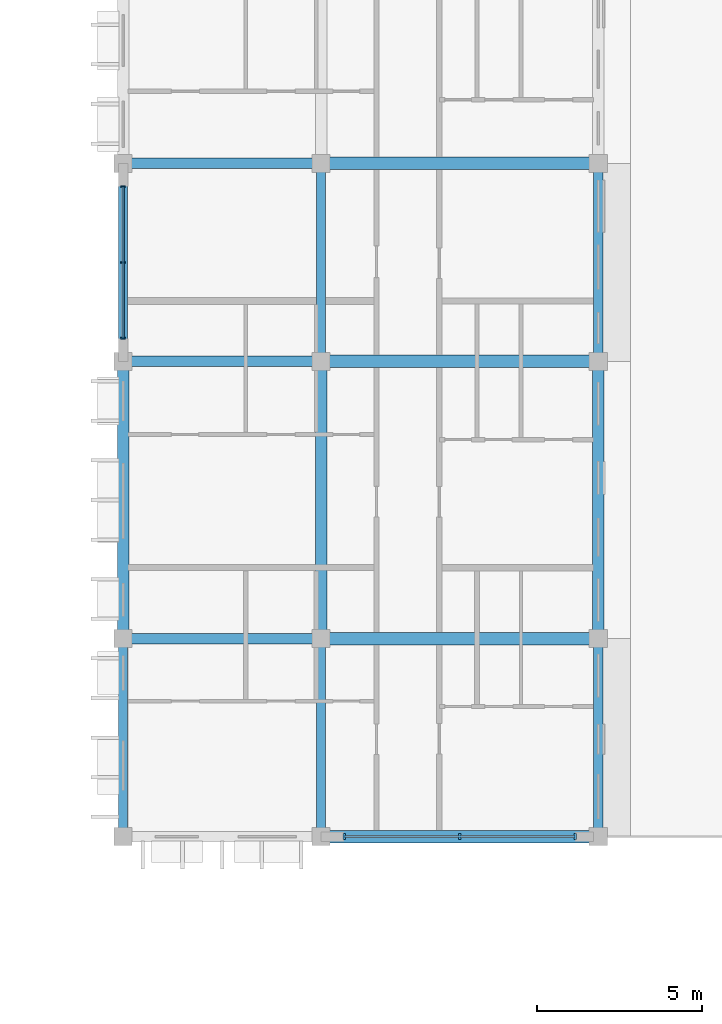
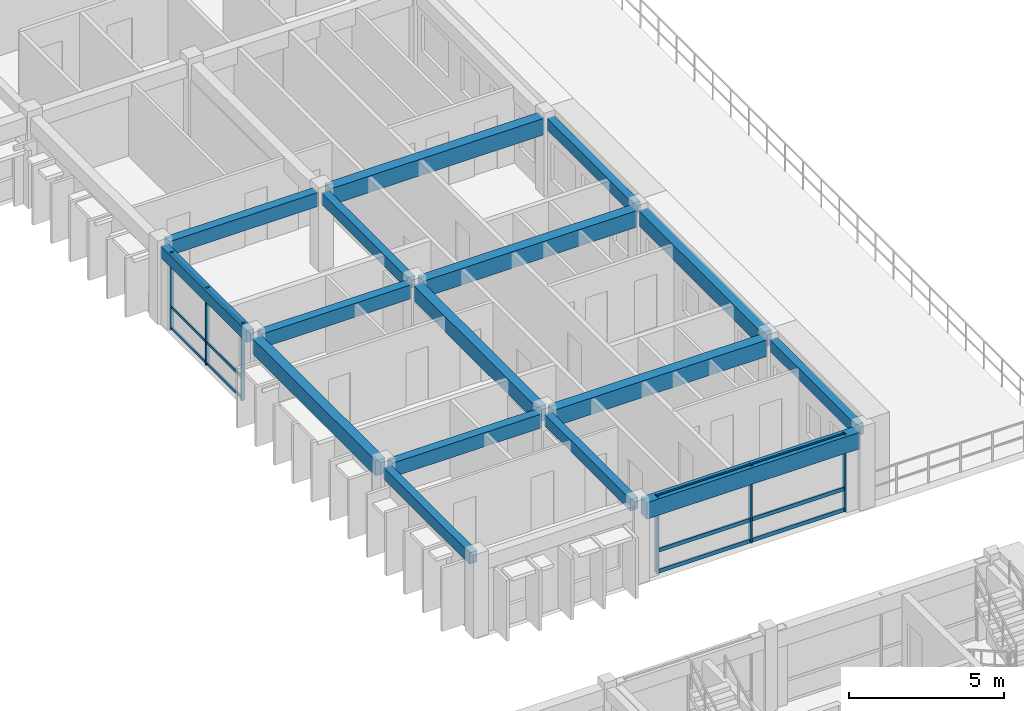
# One storey, part 15 of 68: 16 beams, 12 members, 2 elements without a shape of their own.
"""IFC4 building model written with IfcOpenShell, lengths in metres."""

from ifc_helpers import new_model, si_unit, direction, frame, origin, origin_2d, place, context, subcontext, project, spatial, rectangle, extrude, material, material_profile, profile_set, type_object, element, aggregate, save


model = new_model("IFC4")

# Units and contexts
model_context = context("Model", 3, precision=1e-05, world=origin(), true_north=direction((0.0, 1.0)))
body_context = subcontext(model_context, "Body", "Model", "MODEL_VIEW")
ifc_project = project(units=[si_unit("LENGTHUNIT", "METRE"), si_unit("AREAUNIT", "SQUARE_METRE"), si_unit("VOLUMEUNIT", "CUBIC_METRE"), si_unit("PLANEANGLEUNIT", "RADIAN"), si_unit("MASSUNIT", "GRAM", prefix="KILO"), si_unit("THERMODYNAMICTEMPERATUREUNIT", "KELVIN")], contexts=[model_context])

# Site, building, storey
site_placement = place(None, origin())
site = spatial("IfcSite", under=ifc_project, at=site_placement, CompositionType="ELEMENT")
building_placement = place(site_placement, origin())
building = spatial("IfcBuilding", under=site, at=building_placement, Name="Thalorik Housing Commons", CompositionType="ELEMENT")
storey_placement = place(building_placement, frame((0.0, 0.0, 24.60009765625)))
storey = spatial("IfcBuildingStorey", under=building, at=storey_placement, Name="L07", CompositionType="ELEMENT", Elevation=24.60009765625)

# Curtain wall, members
ifc_material_1 = material(Name="Anodised aluminium and solar-control low-E glass", Category="aluminium")
curtain_wall_type = type_object("IfcCurtainWallType", Name="ARC-CW-LOUNGE", PredefinedType="USERDEFINED", material=ifc_material_1)
curtain_wall_1_placement = place(storey_placement, origin())
curtain_wall_1 = element("IfcCurtainWall", 1, at=curtain_wall_1_placement, inside=storey, type_object=curtain_wall_type, Name="L07 Curtain Wall CW-RES-L07-B-105", ObjectType="CURTAIN WALL", PredefinedType="USERDEFINED")
ifc_material_2 = material(Name="Anodised aluminium 6063-T6", Category="aluminium")
ifc_material_profile_1 = material_profile(ifc_material_2, rectangle(XDim=0.054931640625, YDim=0.139892578125, at=origin_2d()), Name="ALU MUL 55x140", Category="aluminium")
ifc_profile_set_1 = profile_set([ifc_material_profile_1], Name="Anodised aluminium 6063-T6")
member_type_1 = type_object("IfcMemberType", Name="ARC-CW-MUL-55x140", PredefinedType="MULLION", material=ifc_profile_set_1)
member_1_placement = place(storey_placement, frame((152.39990234375, 100.10009765625, 0.0), z_axis=(0.0, 0.0, 1.0), x_axis=(0.0, -1.0, 0.0)))
member_1 = element("IfcMember", 2, at=member_1_placement, type_object=member_type_1, Name="CW-RES-L07-B-105 Mullion 1", PredefinedType="MULLION", context=body_context, shape_type="SweptSolid", body=[
    extrude(rectangle(XDim=0.054931640625, YDim=0.139892578125, at=origin_2d()), origin(), (0.0, 0.0, 1.0), 3.039794921875),
])
member_2_placement = place(storey_placement, frame((152.39990234375, 97.800048828125, 0.0), z_axis=(0.0, 0.0, 1.0), x_axis=(0.0, -1.0, 0.0)))
member_2 = element("IfcMember", 3, at=member_2_placement, type_object=member_type_1, Name="CW-RES-L07-B-105 Mullion 2", PredefinedType="MULLION", context=body_context, shape_type="SweptSolid", body=[
    extrude(rectangle(XDim=0.054931640625, YDim=0.139892578125, at=origin_2d()), origin(), (0.0, 0.0, 1.0), 3.039794921875),
])
member_3_placement = place(storey_placement, frame((152.39990234375, 95.5, 0.0), z_axis=(0.0, 0.0, 1.0), x_axis=(0.0, -1.0, 0.0)))
member_3 = element("IfcMember", 4, at=member_3_placement, type_object=member_type_1, Name="CW-RES-L07-B-105 Mullion 3", PredefinedType="MULLION", context=body_context, shape_type="SweptSolid", body=[
    extrude(rectangle(XDim=0.054931640625, YDim=0.139892578125, at=origin_2d()), origin(), (0.0, 0.0, 1.0), 3.039794921875),
])

curtain_wall_2_placement = place(storey_placement, origin())
curtain_wall_2 = element("IfcCurtainWall", 5, at=curtain_wall_2_placement, inside=storey, type_object=curtain_wall_type, Name="L07 Curtain Wall CW-RES-L07-B-106", ObjectType="CURTAIN WALL", PredefinedType="USERDEFINED")
ifc_material_profile_2 = material_profile(ifc_material_2, rectangle(XDim=0.06494140625, YDim=0.179931640625, at=origin_2d()), Name="ALU MUL 65x180", Category="aluminium")
ifc_profile_set_2 = profile_set([ifc_material_profile_2], Name="Anodised aluminium 6063-T6")
member_type_2 = type_object("IfcMemberType", Name="ARC-CW-MUL-65x180", PredefinedType="MULLION", material=ifc_profile_set_2)
member_4_placement = place(storey_placement, frame((159.10009765625, 80.39990234375, 0.0), z_axis=(0.0, 0.0, 1.0), x_axis=(1.0, 0.0, 0.0)))
member_4 = element("IfcMember", 6, at=member_4_placement, type_object=member_type_2, Name="CW-RES-L07-B-106 Mullion 1", PredefinedType="MULLION", context=body_context, shape_type="SweptSolid", body=[
    extrude(rectangle(XDim=0.06494140625, YDim=0.179931640625, at=origin_2d()), origin(), (0.0, 0.0, 1.0), 3.039794921875),
])
member_5_placement = place(storey_placement, frame((162.60009765625, 80.39990234375, 0.0), z_axis=(0.0, 0.0, 1.0), x_axis=(1.0, 0.0, 0.0)))
member_5 = element("IfcMember", 7, at=member_5_placement, type_object=member_type_2, Name="CW-RES-L07-B-106 Mullion 2", PredefinedType="MULLION", context=body_context, shape_type="SweptSolid", body=[
    extrude(rectangle(XDim=0.06494140625, YDim=0.179931640625, at=origin_2d()), origin(), (0.0, 0.0, 1.0), 3.039794921875),
])
member_6_placement = place(storey_placement, frame((166.10009765625, 80.39990234375, 0.0), z_axis=(0.0, 0.0, 1.0), x_axis=(1.0, 0.0, 0.0)))
member_6 = element("IfcMember", 8, at=member_6_placement, type_object=member_type_2, Name="CW-RES-L07-B-106 Mullion 3", PredefinedType="MULLION", context=body_context, shape_type="SweptSolid", body=[
    extrude(rectangle(XDim=0.06494140625, YDim=0.179931640625, at=origin_2d()), origin(), (0.0, 0.0, 1.0), 3.039794921875),
])

# Member
ifc_material_profile_3 = material_profile(ifc_material_2, rectangle(XDim=0.054931640625, YDim=0.10498046875, at=origin_2d()), Name="ALU TRN 55x105", Category="aluminium")
ifc_profile_set_3 = profile_set([ifc_material_profile_3], Name="Anodised aluminium 6063-T6")
member_type_3 = type_object("IfcMemberType", Name="ARC-CW-TRN-55x105", PredefinedType="USERDEFINED", material=ifc_profile_set_3)
member_7_placement = place(storey_placement, frame((152.39990234375, 100.10009765625, 0.054931640625), z_axis=(0.0, -1.0, 0.0), x_axis=(1.0, 0.0, 0.0)))
member_7 = element("IfcMember", 9, at=member_7_placement, type_object=member_type_3, Name="CW-RES-L07-B-105 Transom 1", ObjectType="TRANSOM", PredefinedType="USERDEFINED", context=body_context, shape_type="SweptSolid", body=[
    extrude(rectangle(XDim=0.054931640625, YDim=0.10498046875, at=origin_2d()), origin(), (0.0, 0.0, 1.0), 4.60009765625),
])

member_8_placement = place(storey_placement, frame((152.39990234375, 100.10009765625, 0.8798828125), z_axis=(0.0, -1.0, 0.0), x_axis=(1.0, 0.0, 0.0)))
member_8 = element("IfcMember", 10, at=member_8_placement, type_object=member_type_3, Name="CW-RES-L07-B-105 Transom 2", ObjectType="TRANSOM", PredefinedType="USERDEFINED", context=body_context, shape_type="SweptSolid", body=[
    extrude(rectangle(XDim=0.054931640625, YDim=0.10498046875, at=origin_2d()), origin(), (0.0, 0.0, 1.0), 4.60009765625),
])

member_9_placement = place(storey_placement, frame((152.39990234375, 100.10009765625, 2.98486328125), z_axis=(0.0, -1.0, 0.0), x_axis=(1.0, 0.0, 0.0)))
member_9 = element("IfcMember", 11, at=member_9_placement, type_object=member_type_3, Name="CW-RES-L07-B-105 Transom 3", ObjectType="TRANSOM", PredefinedType="USERDEFINED", context=body_context, shape_type="SweptSolid", body=[
    extrude(rectangle(XDim=0.054931640625, YDim=0.10498046875, at=origin_2d()), origin(), (0.0, 0.0, 1.0), 4.60009765625),
])

aggregate(curtain_wall_1, [member_1, member_2, member_3, member_7, member_8, member_9])

ifc_material_profile_4 = material_profile(ifc_material_2, rectangle(XDim=0.06494140625, YDim=0.14990234375, at=origin_2d()), Name="ALU TRN 65x150", Category="aluminium")
ifc_profile_set_4 = profile_set([ifc_material_profile_4], Name="Anodised aluminium 6063-T6")
member_type_4 = type_object("IfcMemberType", Name="ARC-CW-TRN-65x150", PredefinedType="USERDEFINED", material=ifc_profile_set_4)
member_10_placement = place(storey_placement, frame((159.10009765625, 80.39990234375, 0.054931640625), z_axis=(1.0, 0.0, 0.0), x_axis=(0.0, 1.0, 0.0)))
member_10 = element("IfcMember", 12, at=member_10_placement, type_object=member_type_4, Name="CW-RES-L07-B-106 Transom 1", ObjectType="TRANSOM", PredefinedType="USERDEFINED", context=body_context, shape_type="SweptSolid", body=[
    extrude(rectangle(XDim=0.06494140625, YDim=0.14990234375, at=origin_2d()), origin(), (0.0, 0.0, 1.0), 7.0),
])

member_11_placement = place(storey_placement, frame((159.10009765625, 80.39990234375, 0.8798828125), z_axis=(1.0, 0.0, 0.0), x_axis=(0.0, 1.0, 0.0)))
member_11 = element("IfcMember", 13, at=member_11_placement, type_object=member_type_4, Name="CW-RES-L07-B-106 Transom 2", ObjectType="TRANSOM", PredefinedType="USERDEFINED", context=body_context, shape_type="SweptSolid", body=[
    extrude(rectangle(XDim=0.06494140625, YDim=0.14990234375, at=origin_2d()), origin(), (0.0, 0.0, 1.0), 7.0),
])

member_12_placement = place(storey_placement, frame((159.10009765625, 80.39990234375, 2.98486328125), z_axis=(1.0, 0.0, 0.0), x_axis=(0.0, 1.0, 0.0)))
member_12 = element("IfcMember", 14, at=member_12_placement, type_object=member_type_4, Name="CW-RES-L07-B-106 Transom 3", ObjectType="TRANSOM", PredefinedType="USERDEFINED", context=body_context, shape_type="SweptSolid", body=[
    extrude(rectangle(XDim=0.06494140625, YDim=0.14990234375, at=origin_2d()), origin(), (0.0, 0.0, 1.0), 7.0),
])

aggregate(curtain_wall_2, [member_4, member_5, member_6, member_10, member_11, member_12])

# Beams
ifc_material_3 = material(Name="Precast concrete C40/50", Category="concrete")
ifc_material_profile_5 = material_profile(ifc_material_3, rectangle(XDim=0.280029296875, YDim=0.449951171875, at=origin_2d()), Name="PC 280x450", Category="concrete")
ifc_profile_set_5 = profile_set([ifc_material_profile_5], Name="Precast concrete C40/50")
beam_type_1 = type_object("IfcBeamType", Name="STR-BM-PC280x450", PredefinedType="BEAM", material=ifc_profile_set_5)
for number, where, z_axis, x_axis, name in (
    (15, (152.39990234375, 80.625, 2.81494140625), (0.0, 1.0, 0.0), (-1.0, 0.0, 0.0), "L07 Beam B-450"),
    (16, (152.39990234375, 95.02490234375, 2.81494140625), (0.0, 1.0, 0.0), (-1.0, 0.0, 0.0), "L07 Beam B-450"),
    (17, (158.39990234375, 80.625, 2.81494140625), (0.0, 1.0, 0.0), (-1.0, 0.0, 0.0), "L07 Beam B-450"),
    (18, (158.39990234375, 95.02490234375, 2.81494140625), (0.0, 1.0, 0.0), (-1.0, 0.0, 0.0), "L07 Beam B-450"),
    (19, (166.800048828125, 80.625, 2.81494140625), (0.0, 1.0, 0.0), (-1.0, 0.0, 0.0), "L07 Beam B-450"),
    (20, (166.800048828125, 95.02490234375, 2.81494140625), (0.0, 1.0, 0.0), (-1.0, 0.0, 0.0), "L07 Beam B-450"),
):
    element("IfcBeam", number, at=place(storey_placement, frame(where, z_axis=z_axis, x_axis=x_axis)), inside=storey, type_object=beam_type_1, Name=name, PredefinedType="BEAM", context=body_context, shape_type="SweptSolid", body=[
        extrude(rectangle(XDim=0.280029296875, YDim=0.449951171875, at=origin_2d()), origin(), (0.0, 0.0, 1.0), 5.550048828125),
    ])
ifc_material_profile_6 = material_profile(ifc_material_3, rectangle(XDim=0.320068359375, YDim=0.550048828125, at=origin_2d()), Name="PC 320x550", Category="concrete")
ifc_profile_set_6 = profile_set([ifc_material_profile_6], Name="Precast concrete C40/50")
beam_type_2 = type_object("IfcBeamType", Name="STR-BM-PC320x550", PredefinedType="BEAM", material=ifc_profile_set_6)
for number, where, z_axis, x_axis, name in (
    (21, (152.625, 86.39990234375, 2.764892578125), (1.0, 0.0, 0.0), (0.0, 1.0, 0.0), "L07 Beam B-550"),
    (22, (152.625, 94.800048828125, 2.764892578125), (1.0, 0.0, 0.0), (0.0, 1.0, 0.0), "L07 Beam B-550"),
    (23, (152.625, 100.800048828125, 2.764892578125), (1.0, 0.0, 0.0), (0.0, 1.0, 0.0), "L07 Beam B-550"),
):
    element("IfcBeam", number, at=place(storey_placement, frame(where, z_axis=z_axis, x_axis=x_axis)), inside=storey, type_object=beam_type_2, Name=name, PredefinedType="BEAM", context=body_context, shape_type="SweptSolid", body=[
        extrude(rectangle(XDim=0.320068359375, YDim=0.550048828125, at=origin_2d()), origin(), (0.0, 0.0, 1.0), 5.550048828125),
    ])
ifc_material_profile_7 = material_profile(ifc_material_3, rectangle(XDim=0.35009765625, YDim=0.60009765625, at=origin_2d()), Name="PC 350x600", Category="concrete")
ifc_profile_set_7 = profile_set([ifc_material_profile_7], Name="Precast concrete C40/50")
beam_type_3 = type_object("IfcBeamType", Name="STR-BM-PC350x600", PredefinedType="BEAM", material=ifc_profile_set_7)
for number, where, z_axis, x_axis, name in (
    (24, (152.39990234375, 86.625, 2.739990234375), (0.0, 1.0, 0.0), (-1.0, 0.0, 0.0), "L07 Beam B-600"),
    (25, (158.39990234375, 86.625, 2.739990234375), (0.0, 1.0, 0.0), (-1.0, 0.0, 0.0), "L07 Beam B-600"),
    (26, (166.800048828125, 86.625, 2.739990234375), (0.0, 1.0, 0.0), (-1.0, 0.0, 0.0), "L07 Beam B-600"),
):
    element("IfcBeam", number, at=place(storey_placement, frame(where, z_axis=z_axis, x_axis=x_axis)), inside=storey, type_object=beam_type_3, Name=name, PredefinedType="BEAM", context=body_context, shape_type="SweptSolid", body=[
        extrude(rectangle(XDim=0.35009765625, YDim=0.60009765625, at=origin_2d()), origin(), (0.0, 0.0, 1.0), 7.949951171875),
    ])
ifc_material_profile_8 = material_profile(ifc_material_3, rectangle(XDim=0.3798828125, YDim=0.64990234375, at=origin_2d()), Name="PC 380x650", Category="concrete")
ifc_profile_set_8 = profile_set([ifc_material_profile_8], Name="Precast concrete C40/50")
beam_type_4 = type_object("IfcBeamType", Name="STR-BM-PC380x650", PredefinedType="BEAM", material=ifc_profile_set_8)
for number, where, z_axis, x_axis, name in (
    (27, (158.625, 80.39990234375, 2.71484375), (1.0, 0.0, 0.0), (0.0, 1.0, 0.0), "L07 Beam B-650"),
    (28, (158.625, 86.39990234375, 2.71484375), (1.0, 0.0, 0.0), (0.0, 1.0, 0.0), "L07 Beam B-650"),
    (29, (158.625, 94.800048828125, 2.71484375), (1.0, 0.0, 0.0), (0.0, 1.0, 0.0), "L07 Beam B-650"),
    (30, (158.625, 100.800048828125, 2.71484375), (1.0, 0.0, 0.0), (0.0, 1.0, 0.0), "L07 Beam B-650"),
):
    element("IfcBeam", number, at=place(storey_placement, frame(where, z_axis=z_axis, x_axis=x_axis)), inside=storey, type_object=beam_type_4, Name=name, PredefinedType="BEAM", context=body_context, shape_type="SweptSolid", body=[
        extrude(rectangle(XDim=0.3798828125, YDim=0.64990234375, at=origin_2d()), origin(), (0.0, 0.0, 1.0), 7.949951171875),
    ])

save(model, "model.ifc")
